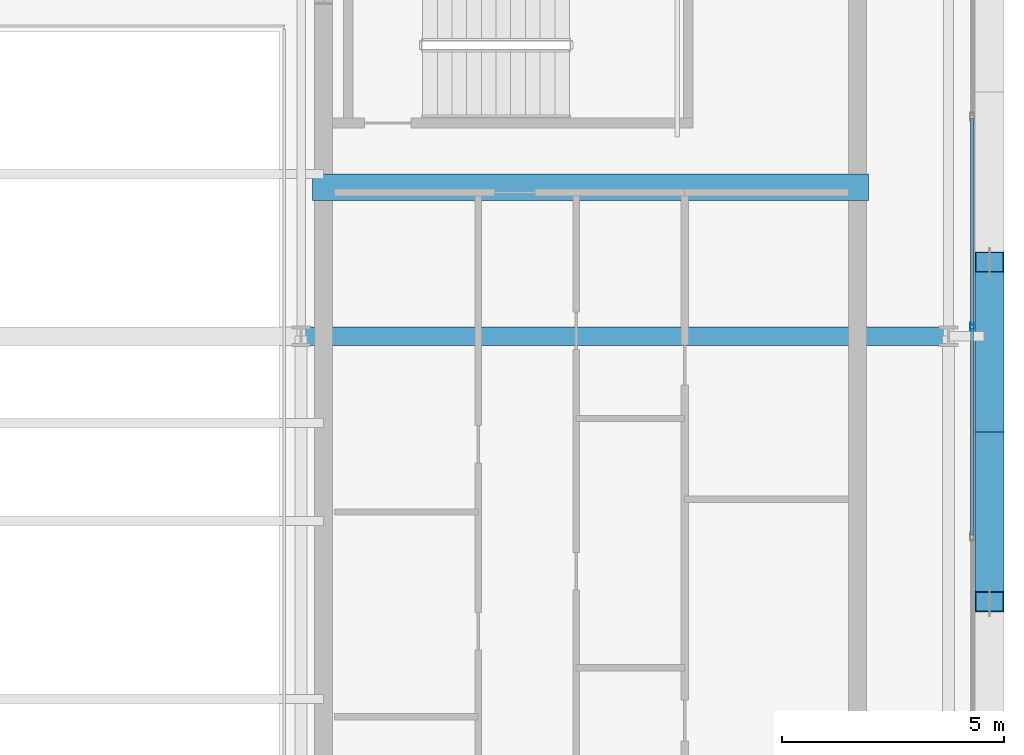
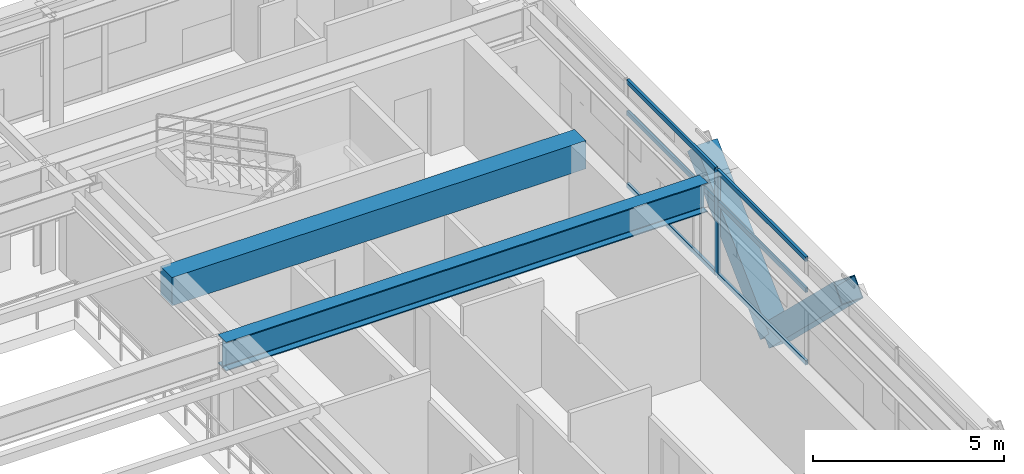
# One storey, part 13 of 29: 9 members, 2 beams, 1 element without a shape of its own.
"""IFC4 building model written with IfcOpenShell, lengths in metres."""

from ifc_helpers import new_model, si_unit, direction, frame, origin, origin_2d, place, context, subcontext, project, spatial, rectangle, hollow_rectangle, i_section, extrude, source, transform, mapped, material, layer, layer_set, material_profile, profile_set, type_object, element, aggregate, save


model = new_model("IFC4")

# Units and contexts
model_context = context("Model", 3, precision=1e-05, world=origin(), true_north=direction((0.0, 1.0)))
body_context = subcontext(model_context, "Body", "Model", "MODEL_VIEW")
ifc_project = project(units=[si_unit("LENGTHUNIT", "METRE"), si_unit("AREAUNIT", "SQUARE_METRE"), si_unit("VOLUMEUNIT", "CUBIC_METRE"), si_unit("PLANEANGLEUNIT", "RADIAN"), si_unit("MASSUNIT", "GRAM", prefix="KILO")], contexts=[model_context])

# Site, building, storey
site_placement = place(None, origin())
site = spatial("IfcSite", under=ifc_project, at=site_placement, CompositionType="ELEMENT")
building_placement = place(site_placement, origin())
building = spatial("IfcBuilding", under=site, at=building_placement, Name="Ocotamira Hotel", CompositionType="ELEMENT")
storey_placement = place(building_placement, frame((0.0, 0.0, 247.199951171875)))
storey = spatial("IfcBuildingStorey", under=building, at=storey_placement, Name="L62", CompositionType="ELEMENT", Elevation=247.199951171875)

# Beams
ifc_material_1 = material(Name="Concrete C50/60", Category="concrete")
ifc_material_profile_1 = material_profile(ifc_material_1, rectangle(XDim=0.60009765625, YDim=0.89990234375, at=origin_2d()), Name="RC600X900")
ifc_profile_set_1 = profile_set([ifc_material_profile_1], Name="Concrete C50/60")
beam_type_1 = type_object("IfcBeamType", Name="BM-LINK-RC600", PredefinedType="LINTEL", material=ifc_profile_set_1)
shared_shape_1 = source(origin(), body_context, "Body", "SweptSolid", [
    extrude(rectangle(XDim=0.60009765625, YDim=0.89990234375, at=origin_2d()), origin(), (0.0, 0.0, 1.0), 12.5),
])
beam_1_placement = place(storey_placement, frame((40.75, 31.5, 2.929931640625), z_axis=(1.0, 0.0, 0.0), x_axis=(0.0, 1.0, 0.0)))
element("IfcBeam", 1, at=beam_1_placement, inside=storey, type_object=beam_type_1, Name="L62 East Core Coupling Beam", PredefinedType="LINTEL", context=body_context, shape_type="MappedRepresentation", body=[
    mapped(shared_shape_1, transform((0.0, 0.0, 0.0), scale=1.0)),
])
ifc_material_2 = material(Name="Steel ASTM A992 Grade 50", Category="steel")
ifc_material_profile_2 = material_profile(ifc_material_2, i_section(OverallWidth=0.41796875, OverallDepth=0.927001953125, WebThickness=0.019287109375, FlangeThickness=0.031982421875, FilletRadius=0.02392578125, at=origin_2d()), Name="W36X231")
ifc_profile_set_2 = profile_set([ifc_material_profile_2], Name="Steel ASTM A992 Grade 50")
beam_type_2 = type_object("IfcBeamType", Name="BM-GIRD-W36X231", PredefinedType="BEAM", material=ifc_profile_set_2)
shared_shape_2 = source(origin(), body_context, "Body", "SweptSolid", [
    extrude(i_section(OverallWidth=0.41796875, OverallDepth=0.927001953125, WebThickness=0.019287109375, FlangeThickness=0.031982421875, FilletRadius=0.02392578125, at=origin_2d()), origin(), (0.0, 0.0, 1.0), 14.550048828125),
])
beam_2_placement = place(storey_placement, frame((40.5, 28.14990234375, 2.91650390625), z_axis=(1.0, 0.0, 0.0), x_axis=(0.0, 1.0, 0.0)))
element("IfcBeam", 2, at=beam_2_placement, inside=storey, type_object=beam_type_2, Name="L62 Girder Y28.15 X40.5-55.05", PredefinedType="BEAM", context=body_context, shape_type="MappedRepresentation", body=[
    mapped(shared_shape_2, transform((0.0, 0.0, 0.0), scale=1.0)),
])

# Members
ifc_material_3 = material(Name="Pale-metal coated steel ASTM A913 Grade 65", Category="steel")
ifc_material_profile_3 = material_profile(ifc_material_3, hollow_rectangle(XDim=0.64990234375, YDim=0.64990234375, WallThickness=0.02197265625, at=origin_2d()), Name="BOX650X650X22")
ifc_profile_set_3 = profile_set([ifc_material_profile_3], Name="Pale-metal coated steel ASTM A913 Grade 65")
member_type_1 = type_object("IfcMemberType", Name="MEM-EXO-BOX650", PredefinedType="BRACE", material=ifc_profile_set_3)
shared_shape_3 = source(origin(), body_context, "Body", "SweptSolid", [
    extrude(hollow_rectangle(XDim=0.64990234375, YDim=0.64990234375, WallThickness=0.02197265625, at=origin_2d()), origin(), (0.0, 0.0, 1.0), 5.31591796875),
])
for number, where, z_axis, x_axis, name in (
    (3, (55.969970703125, 26.0, -0.570068359375), (0.0, -0.717975506843, 0.696068367026), (1.0, 0.0, 0.0), "L62 Exoskeleton Diagrid E1.1"),
    (4, (55.969970703125, 26.0, -0.570068359375), (0.0, 0.717975506843, 0.696068367026), (-1.0, 0.0, 0.0), "L62 Exoskeleton Diagrid E1.2"),
):
    element("IfcMember", number, at=place(storey_placement, frame(where, z_axis=z_axis, x_axis=x_axis)), inside=storey, type_object=member_type_1, Name=name, PredefinedType="BRACE", context=body_context, shape_type="MappedRepresentation", body=[
        mapped(shared_shape_3, transform((0.0, 0.0, 0.0), scale=1.0)),
    ])

# Curtain wall, members
ifc_material_4 = material(Name="Anodised pale-metal aluminium and solar glass", Category="aluminium")
ifc_layer = layer(ifc_material_4, 0.239990234375)
ifc_layer_set = layer_set([ifc_layer], Name="Anodised pale-metal aluminium and solar glass")
curtain_wall_type = type_object("IfcCurtainWallType", Name="CW-SYS5-SKY", PredefinedType="NOTDEFINED", material=ifc_layer_set)
curtain_wall_placement = place(storey_placement, origin())
curtain_wall = element("IfcCurtainWall", 5, at=curtain_wall_placement, inside=storey, type_object=curtain_wall_type, Name="L62 Curtain Wall CW-5 CW-L62-E", PredefinedType="NOTDEFINED")
ifc_material_5 = material(Name="Anodised pale-metal aluminium 6063-T6", Category="aluminium")
ifc_material_profile_4 = material_profile(ifc_material_5, hollow_rectangle(XDim=0.074951171875, YDim=0.14990234375, WallThickness=0.006103515625, at=origin_2d()), Name="HSS150X75X6")
ifc_profile_set_4 = profile_set([ifc_material_profile_4], Name="Anodised pale-metal aluminium 6063-T6")
member_type_2 = type_object("IfcMemberType", Name="CWT-150X75", PredefinedType="USERDEFINED", material=ifc_profile_set_4)
shared_shape_4 = source(origin(), body_context, "Body", "SweptSolid", [
    extrude(hollow_rectangle(XDim=0.074951171875, YDim=0.14990234375, WallThickness=0.006103515625, at=origin_2d()), origin(), (0.0, 0.0, 1.0), 4.64013671875),
])
member_1_placement = place(storey_placement, frame((55.580078125, 23.679931640625, 0.03759765625), z_axis=(0.0, 1.0, 0.0), x_axis=(-1.0, 0.0, 0.0)))
member_1 = element("IfcMember", 6, at=member_1_placement, type_object=member_type_2, Name="CW-5 transom 3.1", ObjectType="TRANSOM", PredefinedType="USERDEFINED", context=body_context, shape_type="MappedRepresentation", body=[
    mapped(shared_shape_4, transform((0.0, 0.0, 0.0), scale=1.0)),
])
member_2_placement = place(storey_placement, frame((55.580078125, 23.679931640625, 2.35009765625), z_axis=(0.0, 1.0, 0.0), x_axis=(-1.0, 0.0, 0.0)))
member_2 = element("IfcMember", 7, at=member_2_placement, type_object=member_type_2, Name="CW-5 transom 3.2", ObjectType="TRANSOM", PredefinedType="USERDEFINED", context=body_context, shape_type="MappedRepresentation", body=[
    mapped(shared_shape_4, transform((0.0, 0.0, 0.0), scale=1.0)),
])
member_3_placement = place(storey_placement, frame((55.580078125, 23.679931640625, 3.342529296875), z_axis=(0.0, 1.0, 0.0), x_axis=(-1.0, 0.0, 0.0)))
member_3 = element("IfcMember", 8, at=member_3_placement, type_object=member_type_2, Name="CW-5 transom 3.3", ObjectType="TRANSOM", PredefinedType="USERDEFINED", context=body_context, shape_type="MappedRepresentation", body=[
    mapped(shared_shape_4, transform((0.0, 0.0, 0.0), scale=1.0)),
])
member_4_placement = place(storey_placement, frame((55.580078125, 28.39990234375, 0.03759765625), z_axis=(0.0, 1.0, 0.0), x_axis=(-1.0, 0.0, 0.0)))
member_4 = element("IfcMember", 9, at=member_4_placement, type_object=member_type_2, Name="CW-5 transom 4.1", ObjectType="TRANSOM", PredefinedType="USERDEFINED", context=body_context, shape_type="MappedRepresentation", body=[
    mapped(shared_shape_4, transform((0.0, 0.0, 0.0), scale=1.0)),
])
member_5_placement = place(storey_placement, frame((55.580078125, 28.39990234375, 2.35009765625), z_axis=(0.0, 1.0, 0.0), x_axis=(-1.0, 0.0, 0.0)))
member_5 = element("IfcMember", 10, at=member_5_placement, type_object=member_type_2, Name="CW-5 transom 4.2", ObjectType="TRANSOM", PredefinedType="USERDEFINED", context=body_context, shape_type="MappedRepresentation", body=[
    mapped(shared_shape_4, transform((0.0, 0.0, 0.0), scale=1.0)),
])
member_6_placement = place(storey_placement, frame((55.580078125, 28.39990234375, 3.342529296875), z_axis=(0.0, 1.0, 0.0), x_axis=(-1.0, 0.0, 0.0)))
member_6 = element("IfcMember", 11, at=member_6_placement, type_object=member_type_2, Name="CW-5 transom 4.3", ObjectType="TRANSOM", PredefinedType="USERDEFINED", context=body_context, shape_type="MappedRepresentation", body=[
    mapped(shared_shape_4, transform((0.0, 0.0, 0.0), scale=1.0)),
])
ifc_material_profile_5 = material_profile(ifc_material_5, hollow_rectangle(XDim=0.080078125, YDim=0.179931640625, WallThickness=0.006103515625, at=origin_2d()), Name="HSS180X80X6")
ifc_profile_set_5 = profile_set([ifc_material_profile_5], Name="Anodised pale-metal aluminium 6063-T6")
member_type_3 = type_object("IfcMemberType", Name="CWM-180X75", PredefinedType="MULLION", material=ifc_profile_set_5)
shared_shape_5 = source(origin(), body_context, "Body", "SweptSolid", [
    extrude(hollow_rectangle(XDim=0.080078125, YDim=0.179931640625, WallThickness=0.006103515625, at=origin_2d()), origin(), (0.0, 0.0, 1.0), 3.380126953125),
])
member_7_placement = place(storey_placement, frame((55.580078125, 28.360107421875, 0.0), z_axis=(0.0, 0.0, 1.0), x_axis=(-1.0, 0.0, 0.0)))
member_7 = element("IfcMember", 12, at=member_7_placement, type_object=member_type_3, Name="CW-5 mullion 4", PredefinedType="MULLION", context=body_context, shape_type="MappedRepresentation", body=[
    mapped(shared_shape_5, transform((0.0, 0.0, 0.0), scale=1.0)),
])
aggregate(curtain_wall, [member_7, member_1, member_2, member_3, member_4, member_5, member_6])

save(model, "model.ifc")
